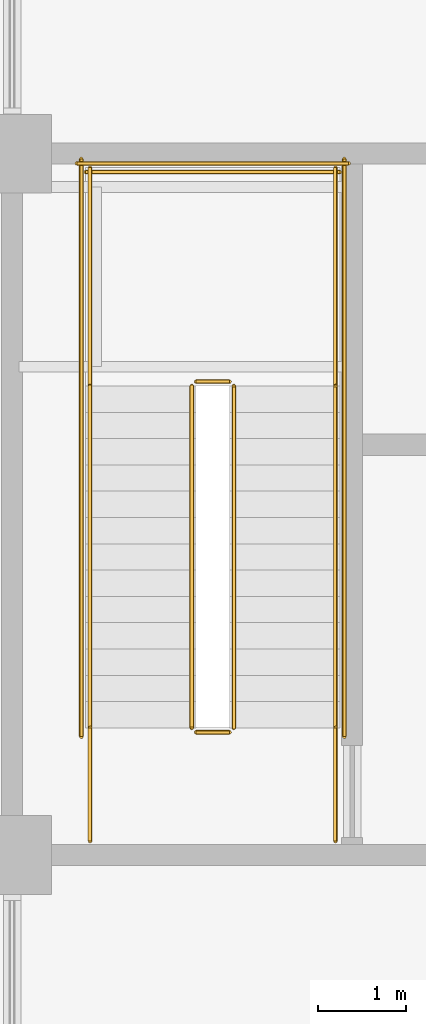
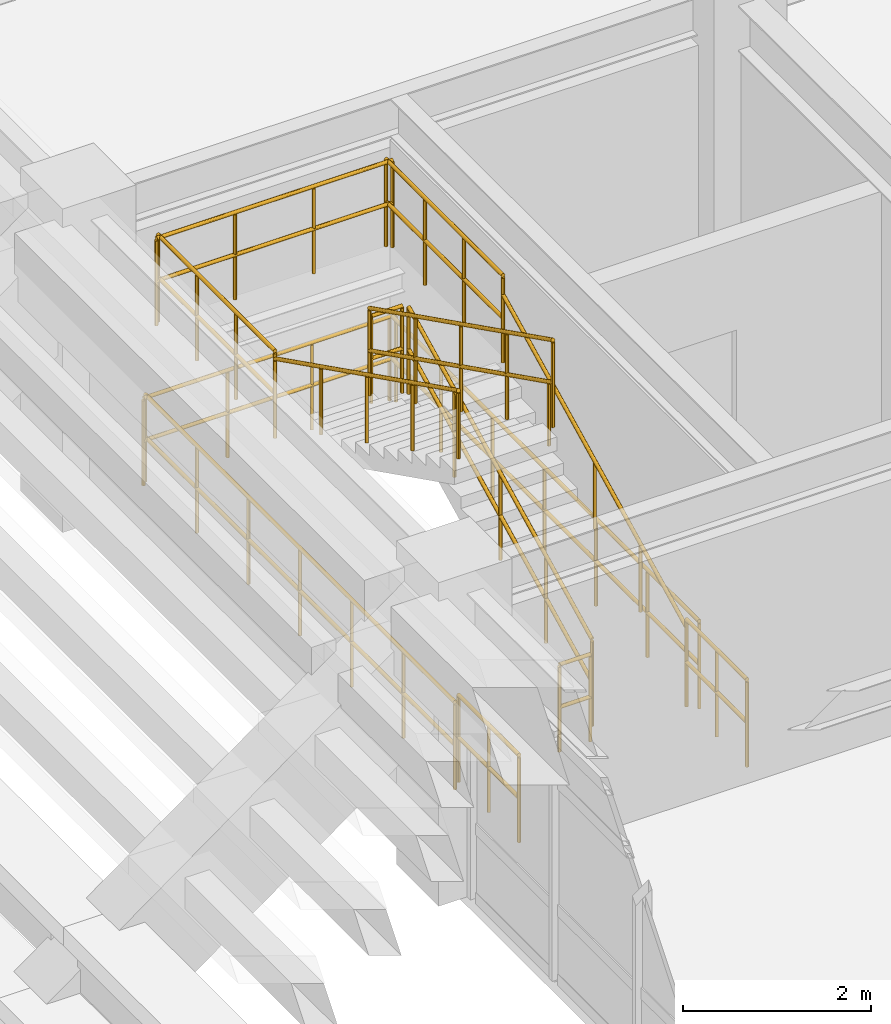
# One storey, part 113 of 118: 14 railings.
"""IFC4 building model written with IfcOpenShell, lengths in metres."""

from ifc_helpers import new_model, si_unit, direction, frame, origin, origin_2d, place, context, subcontext, project, spatial, circle, extrude, material, type_object, element, save


model = new_model("IFC4")

# Units and contexts
model_context = context("Model", 3, precision=1e-05, world=origin(), true_north=direction((0.0, 1.0)))
body_context = subcontext(model_context, "Body", "Model", "MODEL_VIEW")
ifc_project = project(units=[si_unit("LENGTHUNIT", "METRE"), si_unit("AREAUNIT", "SQUARE_METRE"), si_unit("VOLUMEUNIT", "CUBIC_METRE"), si_unit("PLANEANGLEUNIT", "RADIAN"), si_unit("MASSUNIT", "GRAM", prefix="KILO")], contexts=[model_context])

# Site, building, storey
site_placement = place(None, origin())
site = spatial("IfcSite", under=ifc_project, at=site_placement, CompositionType="ELEMENT")
building_placement = place(site_placement, origin())
building = spatial("IfcBuilding", under=site, at=building_placement, Name="Haebicheon Civic Stadium", CompositionType="ELEMENT")
storey_placement = place(building_placement, frame((0.0, 0.0, 14.39990234375)))
storey = spatial("IfcBuildingStorey", under=building, at=storey_placement, Name="L04", CompositionType="ELEMENT", Elevation=14.39990234375)

# Railings
ifc_material_1 = material(Name="Galvanised painted steel SM355", Category="steel")
railing_type_1 = type_object("IfcRailingType", Name="RL-GRD-1150", PredefinedType="GUARDRAIL", material=ifc_material_1)
railing_1_placement = place(storey_placement, frame((146.530029296875, 105.449951171875, 0.150146484375)))
element("IfcRailing", 1, at=railing_1_placement, inside=storey, type_object=railing_type_1, material=ifc_material_1, Name="L04 ST-11 stair guard 1", PredefinedType="GUARDRAIL", context=body_context, shape_type="SweptSolid", body=[
    extrude(circle(Radius=0.02392578125, at=origin_2d()), frame((0.0, 0.0, 1.1259765625), z_axis=(0.0, 0.894438388696, 0.447191199406), x_axis=(-1.0, 0.0, 0.0)), (0.0, 0.0, 1.0), 4.3603515625),
    extrude(circle(Radius=0.02392578125, at=origin_2d()), frame((0.0, 0.0, 0.574951171875), z_axis=(0.0, 0.894438388696, 0.447191199406), x_axis=(-1.0, 0.0, 0.0)), (0.0, 0.0, 1.0), 4.3603515625),
    extrude(circle(Radius=0.02099609375, at=origin_2d()), origin(), (0.0, 0.0, 1.0), 1.101806640625),
    extrude(circle(Radius=0.02099609375, at=origin_2d()), frame((0.0, 0.97509765625, 0.487548828125)), (0.0, 0.0, 1.0), 1.101806640625),
    extrude(circle(Radius=0.02099609375, at=origin_2d()), frame((0.0, 1.9501953125, 0.97509765625)), (0.0, 0.0, 1.0), 1.101806640625),
    extrude(circle(Radius=0.02099609375, at=origin_2d()), frame((0.0, 2.925048828125, 1.46240234375)), (0.0, 0.0, 1.0), 1.101806640625),
    extrude(circle(Radius=0.02099609375, at=origin_2d()), frame((0.0, 3.900146484375, 1.949951171875)), (0.0, 0.0, 1.0), 1.101806640625),
])
railing_2_placement = place(storey_placement, frame((146.47998046875, 109.39990234375, 2.10009765625)))
element("IfcRailing", 2, at=railing_2_placement, inside=storey, type_object=railing_type_1, material=ifc_material_1, Name="L04 ST-11 stair guard 2", PredefinedType="GUARDRAIL", context=body_context, shape_type="SweptSolid", body=[
    extrude(circle(Radius=0.02392578125, at=origin_2d()), frame((0.0, 0.0, 1.1259765625), z_axis=(-1.0, 0.0, 0.0), x_axis=(0.0, -1.0, 0.0)), (0.0, 0.0, 1.0), 0.3798828125),
    extrude(circle(Radius=0.02392578125, at=origin_2d()), frame((0.0, 0.0, 0.574951171875), z_axis=(-1.0, 0.0, 0.0), x_axis=(0.0, -1.0, 0.0)), (0.0, 0.0, 1.0), 0.3798828125),
    extrude(circle(Radius=0.02099609375, at=origin_2d()), origin(), (0.0, 0.0, 1.0), 1.101806640625),
    extrude(circle(Radius=0.02099609375, at=origin_2d()), frame((-0.3798828125, 0.0, 0.0)), (0.0, 0.0, 1.0), 1.101806640625),
])
for number, where, name in (
    (3, (147.68994140625, 109.35009765625, 2.10009765625), "L04 ST-11 stair guard 3"),
    (4, (144.889892578125, 109.35009765625, 2.10009765625), "L04 ST-11 stair guard 4"),
):
    element("IfcRailing", number, at=place(storey_placement, frame(where)), inside=storey, type_object=railing_type_1, material=ifc_material_1, Name=name, PredefinedType="GUARDRAIL", context=body_context, shape_type="SweptSolid", body=[
        extrude(circle(Radius=0.02392578125, at=origin_2d()), frame((0.0, 0.0, 1.1259765625), z_axis=(0.0, 1.0, 0.0), x_axis=(-1.0, 0.0, 0.0)), (0.0, 0.0, 1.0), 2.489990234375),
        extrude(circle(Radius=0.02392578125, at=origin_2d()), frame((0.0, 0.0, 0.574951171875), z_axis=(0.0, 1.0, 0.0), x_axis=(-1.0, 0.0, 0.0)), (0.0, 0.0, 1.0), 2.489990234375),
        extrude(circle(Radius=0.02099609375, at=origin_2d()), origin(), (0.0, 0.0, 1.0), 1.101806640625),
        extrude(circle(Radius=0.02099609375, at=origin_2d()), frame((0.0, 0.830078125, 0.0)), (0.0, 0.0, 1.0), 1.101806640625),
        extrude(circle(Radius=0.02099609375, at=origin_2d()), frame((0.0, 1.659912109375, 0.0)), (0.0, 0.0, 1.0), 1.101806640625),
        extrude(circle(Radius=0.02099609375, at=origin_2d()), frame((0.0, 2.489990234375, 0.0)), (0.0, 0.0, 1.0), 1.101806640625),
    ])
railing_3_placement = place(storey_placement, frame((147.739990234375, 111.7900390625, 2.10009765625)))
element("IfcRailing", 5, at=railing_3_placement, inside=storey, type_object=railing_type_1, material=ifc_material_1, Name="L04 ST-11 stair guard 5", PredefinedType="GUARDRAIL", context=body_context, shape_type="SweptSolid", body=[
    extrude(circle(Radius=0.02392578125, at=origin_2d()), frame((0.0, 0.0, 1.1259765625), z_axis=(-1.0, 0.0, 0.0), x_axis=(0.0, -1.0, 0.0)), (0.0, 0.0, 1.0), 2.89990234375),
    extrude(circle(Radius=0.02392578125, at=origin_2d()), frame((0.0, 0.0, 0.574951171875), z_axis=(-1.0, 0.0, 0.0), x_axis=(0.0, -1.0, 0.0)), (0.0, 0.0, 1.0), 2.89990234375),
    extrude(circle(Radius=0.02099609375, at=origin_2d()), origin(), (0.0, 0.0, 1.0), 1.101806640625),
    extrude(circle(Radius=0.02099609375, at=origin_2d()), frame((-0.966552734375, 0.0, 0.0)), (0.0, 0.0, 1.0), 1.101806640625),
    extrude(circle(Radius=0.02099609375, at=origin_2d()), frame((-1.933349609375, 0.0, 0.0)), (0.0, 0.0, 1.0), 1.101806640625),
    extrude(circle(Radius=0.02099609375, at=origin_2d()), frame((-2.89990234375, 0.0, 0.0)), (0.0, 0.0, 1.0), 1.101806640625),
])
railing_4_placement = place(storey_placement, frame((146.050048828125, 109.35009765625, 2.25)))
element("IfcRailing", 6, at=railing_4_placement, inside=storey, type_object=railing_type_1, material=ifc_material_1, Name="L04 ST-11 stair guard 6", PredefinedType="GUARDRAIL", context=body_context, shape_type="SweptSolid", body=[
    extrude(circle(Radius=0.02392578125, at=origin_2d()), frame((0.0, 0.0, 1.1259765625), z_axis=(0.0, -0.894415993023, 0.447235990752), x_axis=(1.0, 0.0, 0.0)), (0.0, 0.0, 1.0), 4.360595703125),
    extrude(circle(Radius=0.02392578125, at=origin_2d()), frame((0.0, 0.0, 0.574951171875), z_axis=(0.0, -0.894415993023, 0.447235990752), x_axis=(1.0, 0.0, 0.0)), (0.0, 0.0, 1.0), 4.360595703125),
    extrude(circle(Radius=0.02099609375, at=origin_2d()), origin(), (0.0, 0.0, 1.0), 1.101806640625),
    extrude(circle(Radius=0.02099609375, at=origin_2d()), frame((0.0, -0.97509765625, 0.487548828125)), (0.0, 0.0, 1.0), 1.101806640625),
    extrude(circle(Radius=0.02099609375, at=origin_2d()), frame((0.0, -1.9501953125, 0.97509765625)), (0.0, 0.0, 1.0), 1.101806640625),
    extrude(circle(Radius=0.02099609375, at=origin_2d()), frame((0.0, -2.925048828125, 1.462646484375)), (0.0, 0.0, 1.0), 1.101806640625),
    extrude(circle(Radius=0.02099609375, at=origin_2d()), frame((0.0, -3.900146484375, 1.9501953125)), (0.0, 0.0, 1.0), 1.101806640625),
])
railing_5_placement = place(storey_placement, frame((146.47998046875, 105.39990234375, 0.0)))
element("IfcRailing", 7, at=railing_5_placement, inside=storey, type_object=railing_type_1, material=ifc_material_1, Name="L04 ST-11 stair guard 7", PredefinedType="GUARDRAIL", context=body_context, shape_type="SweptSolid", body=[
    extrude(circle(Radius=0.02392578125, at=origin_2d()), frame((0.0, 0.0, 1.1259765625), z_axis=(-1.0, 0.0, 0.0), x_axis=(0.0, -1.0, 0.0)), (0.0, 0.0, 1.0), 0.3798828125),
    extrude(circle(Radius=0.02392578125, at=origin_2d()), frame((0.0, 0.0, 0.574951171875), z_axis=(-1.0, 0.0, 0.0), x_axis=(0.0, -1.0, 0.0)), (0.0, 0.0, 1.0), 0.3798828125),
    extrude(circle(Radius=0.02099609375, at=origin_2d()), origin(), (0.0, 0.0, 1.0), 1.101806640625),
    extrude(circle(Radius=0.02099609375, at=origin_2d()), frame((-0.3798828125, 0.0, 0.0)), (0.0, 0.0, 1.0), 1.101806640625),
])
for number, where, name in (
    (8, (147.68994140625, 104.159912109375, 0.0), "L04 ST-11 stair guard 8"),
    (9, (144.889892578125, 104.159912109375, 0.0), "L04 ST-11 stair guard 9"),
):
    element("IfcRailing", number, at=place(storey_placement, frame(where)), inside=storey, type_object=railing_type_1, material=ifc_material_1, Name=name, PredefinedType="GUARDRAIL", context=body_context, shape_type="SweptSolid", body=[
        extrude(circle(Radius=0.02392578125, at=origin_2d()), frame((0.0, 0.0, 1.1259765625), z_axis=(0.0, 1.0, 0.0), x_axis=(-1.0, 0.0, 0.0)), (0.0, 0.0, 1.0), 1.2900390625),
        extrude(circle(Radius=0.02392578125, at=origin_2d()), frame((0.0, 0.0, 0.574951171875), z_axis=(0.0, 1.0, 0.0), x_axis=(-1.0, 0.0, 0.0)), (0.0, 0.0, 1.0), 1.2900390625),
        extrude(circle(Radius=0.02099609375, at=origin_2d()), origin(), (0.0, 0.0, 1.0), 1.101806640625),
        extrude(circle(Radius=0.02099609375, at=origin_2d()), frame((0.0, 0.64501953125, 0.0)), (0.0, 0.0, 1.0), 1.101806640625),
        extrude(circle(Radius=0.02099609375, at=origin_2d()), frame((0.0, 1.2900390625, 0.0)), (0.0, 0.0, 1.0), 1.101806640625),
    ])
for number, where, name in (
    (10, (147.7900390625, 105.35009765625, 0.0), "L04 ST-11 stair guard 10"),
    (11, (144.7900390625, 105.35009765625, 0.0), "L04 ST-11 stair guard 11"),
):
    element("IfcRailing", number, at=place(storey_placement, frame(where)), inside=storey, type_object=railing_type_1, material=ifc_material_1, Name=name, PredefinedType="GUARDRAIL", context=body_context, shape_type="SweptSolid", body=[
        extrude(circle(Radius=0.02392578125, at=origin_2d()), frame((0.0, 0.0, 1.1259765625), z_axis=(0.0, 1.0, 0.0), x_axis=(-1.0, 0.0, 0.0)), (0.0, 0.0, 1.0), 6.58984375),
        extrude(circle(Radius=0.02392578125, at=origin_2d()), frame((0.0, 0.0, 0.574951171875), z_axis=(0.0, 1.0, 0.0), x_axis=(-1.0, 0.0, 0.0)), (0.0, 0.0, 1.0), 6.58984375),
        extrude(circle(Radius=0.02099609375, at=origin_2d()), origin(), (0.0, 0.0, 1.0), 1.101806640625),
        extrude(circle(Radius=0.02099609375, at=origin_2d()), frame((0.0, 1.098388671875, 0.0)), (0.0, 0.0, 1.0), 1.101806640625),
        extrude(circle(Radius=0.02099609375, at=origin_2d()), frame((0.0, 2.196533203125, 0.0)), (0.0, 0.0, 1.0), 1.101806640625),
        extrude(circle(Radius=0.02099609375, at=origin_2d()), frame((0.0, 3.294921875, 0.0)), (0.0, 0.0, 1.0), 1.101806640625),
        extrude(circle(Radius=0.02099609375, at=origin_2d()), frame((0.0, 4.393310546875, 0.0)), (0.0, 0.0, 1.0), 1.101806640625),
        extrude(circle(Radius=0.02099609375, at=origin_2d()), frame((0.0, 5.491455078125, 0.0)), (0.0, 0.0, 1.0), 1.101806640625),
        extrude(circle(Radius=0.02099609375, at=origin_2d()), frame((0.0, 6.58984375, 0.0)), (0.0, 0.0, 1.0), 1.101806640625),
    ])
railing_6_placement = place(storey_placement, frame((147.840087890625, 111.889892578125, 0.0)))
element("IfcRailing", 12, at=railing_6_placement, inside=storey, type_object=railing_type_1, material=ifc_material_1, Name="L04 ST-11 stair guard 12", PredefinedType="GUARDRAIL", context=body_context, shape_type="SweptSolid", body=[
    extrude(circle(Radius=0.02392578125, at=origin_2d()), frame((0.0, 0.0, 1.1259765625), z_axis=(-1.0, 0.0, 0.0), x_axis=(0.0, -1.0, 0.0)), (0.0, 0.0, 1.0), 3.10009765625),
    extrude(circle(Radius=0.02392578125, at=origin_2d()), frame((0.0, 0.0, 0.574951171875), z_axis=(-1.0, 0.0, 0.0), x_axis=(0.0, -1.0, 0.0)), (0.0, 0.0, 1.0), 3.10009765625),
    extrude(circle(Radius=0.02099609375, at=origin_2d()), origin(), (0.0, 0.0, 1.0), 1.101806640625),
    extrude(circle(Radius=0.02099609375, at=origin_2d()), frame((-1.033447265625, 0.0, 0.0)), (0.0, 0.0, 1.0), 1.101806640625),
    extrude(circle(Radius=0.02099609375, at=origin_2d()), frame((-2.066650390625, 0.0, 0.0)), (0.0, 0.0, 1.0), 1.101806640625),
    extrude(circle(Radius=0.02099609375, at=origin_2d()), frame((-3.10009765625, 0.0, 0.0)), (0.0, 0.0, 1.0), 1.101806640625),
])
ifc_material_2 = material(Name="Stainless steel 316", Category="steel")
railing_type_2 = type_object("IfcRailingType", Name="RL-HND-900", PredefinedType="HANDRAIL", material=ifc_material_2)
railing_7_placement = place(storey_placement, frame((147.68994140625, 105.449951171875, 0.150146484375)))
element("IfcRailing", 13, at=railing_7_placement, inside=storey, type_object=railing_type_2, material=ifc_material_2, Name="L04 ST-11 stair handrail 1", PredefinedType="HANDRAIL", context=body_context, shape_type="SweptSolid", body=[
    extrude(circle(Radius=0.02392578125, at=origin_2d()), frame((0.0, 0.0, 0.8759765625), z_axis=(0.0, 0.894438388696, 0.447191199406), x_axis=(-1.0, 0.0, 0.0)), (0.0, 0.0, 1.0), 4.3603515625),
    extrude(circle(Radius=0.02099609375, at=origin_2d()), origin(), (0.0, 0.0, 1.0), 0.851806640625),
    extrude(circle(Radius=0.02099609375, at=origin_2d()), frame((0.0, 0.97509765625, 0.487548828125)), (0.0, 0.0, 1.0), 0.851806640625),
    extrude(circle(Radius=0.02099609375, at=origin_2d()), frame((0.0, 1.9501953125, 0.97509765625)), (0.0, 0.0, 1.0), 0.851806640625),
    extrude(circle(Radius=0.02099609375, at=origin_2d()), frame((0.0, 2.925048828125, 1.46240234375)), (0.0, 0.0, 1.0), 0.851806640625),
    extrude(circle(Radius=0.02099609375, at=origin_2d()), frame((0.0, 3.900146484375, 1.949951171875)), (0.0, 0.0, 1.0), 0.851806640625),
])
railing_8_placement = place(storey_placement, frame((144.889892578125, 109.35009765625, 2.25)))
element("IfcRailing", 14, at=railing_8_placement, inside=storey, type_object=railing_type_2, material=ifc_material_2, Name="L04 ST-11 stair handrail 2", PredefinedType="HANDRAIL", context=body_context, shape_type="SweptSolid", body=[
    extrude(circle(Radius=0.02392578125, at=origin_2d()), frame((0.0, 0.0, 0.8759765625), z_axis=(0.0, -0.894415993023, 0.447235990752), x_axis=(1.0, 0.0, 0.0)), (0.0, 0.0, 1.0), 4.360595703125),
    extrude(circle(Radius=0.02099609375, at=origin_2d()), origin(), (0.0, 0.0, 1.0), 0.851806640625),
    extrude(circle(Radius=0.02099609375, at=origin_2d()), frame((0.0, -0.97509765625, 0.487548828125)), (0.0, 0.0, 1.0), 0.851806640625),
    extrude(circle(Radius=0.02099609375, at=origin_2d()), frame((0.0, -1.9501953125, 0.97509765625)), (0.0, 0.0, 1.0), 0.851806640625),
    extrude(circle(Radius=0.02099609375, at=origin_2d()), frame((0.0, -2.925048828125, 1.462646484375)), (0.0, 0.0, 1.0), 0.851806640625),
    extrude(circle(Radius=0.02099609375, at=origin_2d()), frame((0.0, -3.900146484375, 1.9501953125)), (0.0, 0.0, 1.0), 0.851806640625),
])

save(model, "model.ifc")
